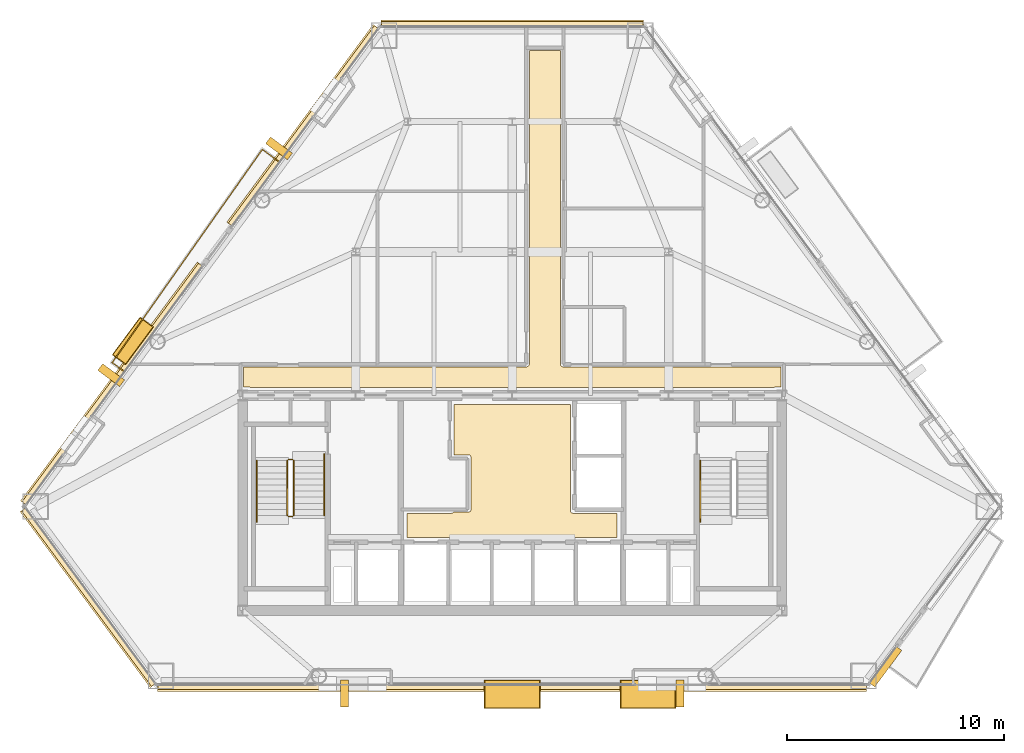
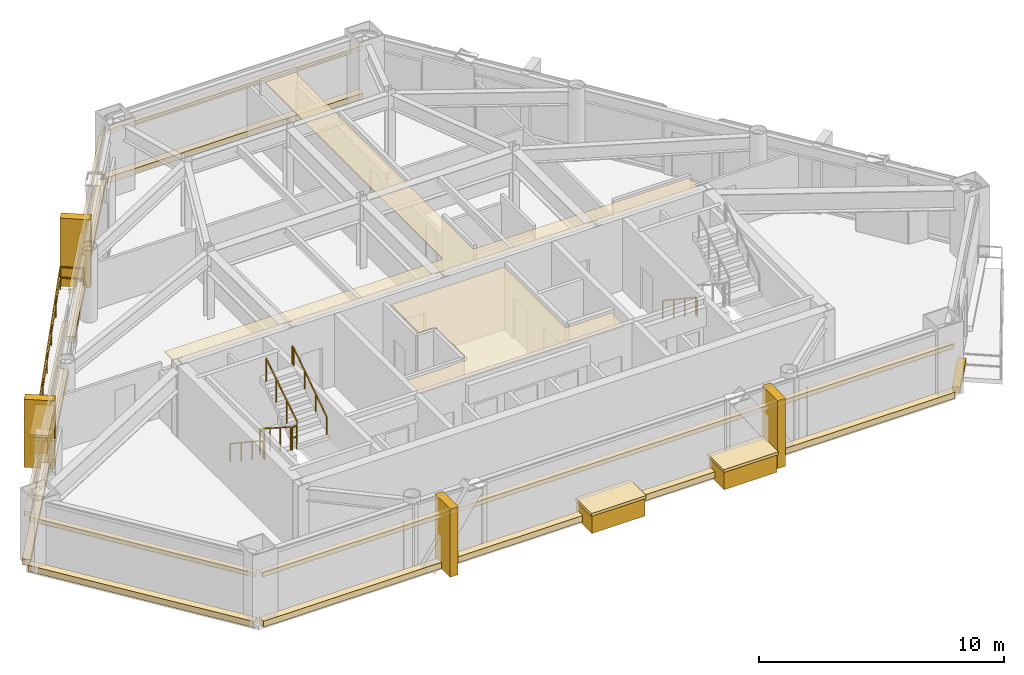
# One storey, part 10 of 11: 23 coverings, 8 railings.
"""IFC4 building model written with IfcOpenShell, lengths in metres."""

from ifc_helpers import new_model, si_unit, direction, frame, origin, origin_2d, place, context, subcontext, project, spatial, polyline, rectangle, outline, extrude, material, layer, layer_set, type_object, element, save


model = new_model("IFC4")

# Units and contexts
model_context = context("Model", 3, precision=1e-05, world=origin(), true_north=direction((0.0, 1.0)))
body_context = subcontext(model_context, "Body", "Model", "MODEL_VIEW")
ifc_project = project(units=[si_unit("LENGTHUNIT", "METRE"), si_unit("AREAUNIT", "SQUARE_METRE"), si_unit("VOLUMEUNIT", "CUBIC_METRE"), si_unit("PLANEANGLEUNIT", "RADIAN"), si_unit("MASSUNIT", "GRAM", prefix="KILO")], contexts=[model_context])

# Site, building, storey
site_placement = place(None, origin())
site = spatial("IfcSite", under=ifc_project, at=site_placement, CompositionType="ELEMENT")
building_placement = place(site_placement, origin())
building = spatial("IfcBuilding", under=site, at=building_placement, Name="Talgorran Terracotta Tower", CompositionType="ELEMENT")
storey_placement = place(building_placement, frame((0.0, 0.0, 103.199951171875)))
storey = spatial("IfcBuildingStorey", under=building, at=storey_placement, Name="L26", CompositionType="ELEMENT", Elevation=103.199951171875)

# Coverings
ifc_material_1 = material(Name="Kiln-Fired Terracotta Ochre Ceramic", Category="masonry")
ifc_layer_1 = layer(ifc_material_1, 0.179931640625, Name="COV_BAGUETTE_TERRACOTTA_SCREEN")
ifc_layer_set_1 = layer_set([ifc_layer_1], Name="Kiln-Fired Terracotta Ochre Ceramic")
covering_type_1 = type_object("IfcCoveringType", Name="COV_BAGUETTE_TERRACOTTA_SCREEN", PredefinedType="CLADDING", material=ifc_layer_set_1)
covering_1_placement = place(storey_placement, frame((-19.480712890625, -13.47119140625, 2.41015625), z_axis=(0.0, 0.0, 1.0), x_axis=(0.594906963183, -0.803794566513, 0.0)))
element("IfcCovering", 1, at=covering_1_placement, inside=storey, type_object=covering_type_1, Name="L26 Terracotta Baguette Solar Screen Assembly F0", PredefinedType="CLADDING", context=body_context, shape_type="SweptSolid", body=[
    extrude(rectangle(XDim=10.052001953125, YDim=0.260009765625, at=origin_2d()), origin(), (0.0, 0.0, 1.0), 0.219970703125),
])
covering_2_placement = place(storey_placement, frame((0.0, -17.60791015625, 2.41015625), z_axis=(0.0, 0.0, 1.0), x_axis=(1.0, 0.0, 0.0)))
element("IfcCovering", 2, at=covering_2_placement, inside=storey, type_object=covering_type_1, Name="L26 Terracotta Baguette Solar Screen Assembly F1", PredefinedType="CLADDING", context=body_context, shape_type="SweptSolid", body=[
    extrude(rectangle(XDim=32.59716796875, YDim=0.260009765625, at=origin_2d()), origin(), (0.0, 0.0, 1.0), 0.219970703125),
])
covering_3_placement = place(storey_placement, frame((0.0, 12.8623046875, 2.41015625), z_axis=(0.0, 0.0, 1.0), x_axis=(-1.0, 0.0, 0.0)))
element("IfcCovering", 3, at=covering_3_placement, inside=storey, type_object=covering_type_1, Name="L26 Terracotta Baguette Solar Screen Assembly F4", PredefinedType="CLADDING", context=body_context, shape_type="SweptSolid", body=[
    extrude(rectangle(XDim=12.043212890625, YDim=0.260009765625, at=origin_2d()), origin(), (0.0, 0.0, 1.0), 0.219970703125),
])
covering_4_placement = place(storey_placement, frame((-9.59814453125, 8.1923828125, 2.41015625), z_axis=(0.0, 0.0, 1.0), x_axis=(-0.594906963183, -0.803794566513, 0.0)))
element("IfcCovering", 4, at=covering_4_placement, inside=storey, type_object=covering_type_1, Name="L26 Terracotta Baguette Solar Screen Assembly F60", PredefinedType="CLADDING", context=body_context, shape_type="SweptSolid", body=[
    extrude(rectangle(XDim=11.298583984375, YDim=0.260009765625, at=origin_2d()), origin(), (0.0, 0.0, 1.0), 0.219970703125),
])
covering_5_placement = place(storey_placement, frame((-18.386962890625, -3.682373046875, 2.41015625), z_axis=(0.0, 0.0, 1.0), x_axis=(-0.594906963183, -0.803794566513, 0.0)))
element("IfcCovering", 5, at=covering_5_placement, inside=storey, type_object=covering_type_1, Name="L26 Terracotta Baguette Solar Screen Assembly F61", PredefinedType="CLADDING", context=body_context, shape_type="SweptSolid", body=[
    extrude(rectangle(XDim=13.6484375, YDim=0.260009765625, at=origin_2d()), origin(), (0.0, 0.0, 1.0), 0.219970703125),
])
ifc_material_2 = material(Name="Mineral Fibre Acoustic Tile")
ifc_layer_2 = layer(ifc_material_2, 0.02490234375, Name="COV_CEIL_ACOUSTIC")
ifc_layer_set_2 = layer_set([ifc_layer_2], Name="Mineral Fibre Acoustic Tile")
covering_type_2 = type_object("IfcCoveringType", Name="COV_CEIL_ACOUSTIC", PredefinedType="CEILING", material=ifc_layer_set_2)
covering_6_placement = place(storey_placement, frame((0.0, 0.0, 3.260009765625)))
element("IfcCovering", 6, at=covering_6_placement, inside=storey, type_object=covering_type_2, Name="CEIL-L26-2", PredefinedType="CEILING", context=body_context, shape_type="SweptSolid", body=[
    extrude(outline(polyline([(-12.364990234375, -2.885009765625), (0.64990234375, -2.885009765625), (0.66162109375, -2.884521484375), (0.67333984375, -2.8828125), (0.6845703125, -2.8798828125), (0.69287109375, -2.87744140625), (0.7041015625, -2.87353515625), (0.714599609375, -2.868408203125), (0.724853515625, -2.8623046875), (0.734375, -2.85546875), (0.742919921875, -2.847412109375), (0.7509765625, -2.8388671875), (0.756591796875, -2.83203125), (0.763671875, -2.822509765625), (0.769775390625, -2.8125), (0.774658203125, -2.8017578125), (0.77880859375, -2.79052734375), (0.781494140625, -2.779296875), (0.783203125, -2.767578125), (0.783935546875, -2.755615234375), (0.784912109375, 11.6650390625), (2.215087890625, 11.6650390625), (2.215087890625, -2.75), (2.215576171875, -2.76171875), (2.21728515625, -2.773193359375), (2.22021484375, -2.78466796875), (2.22265625, -2.79296875), (2.2265625, -2.803955078125), (2.231689453125, -2.814697265625), (2.237548828125, -2.82470703125), (2.24462890625, -2.834228515625), (2.25244140625, -2.843017578125), (2.26123046875, -2.850830078125), (2.26806640625, -2.8564453125), (2.277587890625, -2.863525390625), (2.28759765625, -2.86962890625), (2.29833984375, -2.874755859375), (2.309326171875, -2.878662109375), (2.32080078125, -2.881591796875), (2.33251953125, -2.88330078125), (2.34423828125, -2.8837890625), (12.364990234375, -2.885009765625), (12.364990234375, -3.80908203125), (12.1201171875, -3.80908203125), (12.108154296875, -3.8095703125), (12.0966796875, -3.811279296875), (12.085205078125, -3.814208984375), (12.07421875, -3.818115234375), (12.0634765625, -3.8232421875), (12.05322265625, -3.8291015625), (12.0439453125, -3.836181640625), (12.03515625, -3.843994140625), (12.034423828125, -3.844970703125), (7.432861328125, -3.844970703125), (6.968017578125, -3.843017578125), (6.967529296875, -3.843017578125), (0.232666015625, -3.844970703125), (-0.23193359375, -3.843017578125), (-0.232421875, -3.843017578125), (-6.96728515625, -3.844970703125), (-7.431884765625, -3.843017578125), (-7.4326171875, -3.843017578125), (-12.034423828125, -3.844970703125), (-12.03515625, -3.843994140625), (-12.0439453125, -3.836181640625), (-12.05322265625, -3.8291015625), (-12.0634765625, -3.8232421875), (-12.07421875, -3.818115234375), (-12.085205078125, -3.814208984375), (-12.0966796875, -3.811279296875), (-12.108154296875, -3.8095703125), (-12.1201171875, -3.80908203125), (-12.364990234375, -3.80908203125), (-12.364990234375, -2.885009765625)])), origin(), (0.0, 0.0, 1.0), 0.02001953125),
])
ifc_material_3 = material(Name="Flush Moisture-Resistant Plaster")
ifc_layer_3 = layer(ifc_material_3, 0.01806640625, Name="COV_CEIL_PLASTER")
ifc_layer_set_3 = layer_set([ifc_layer_3], Name="Flush Moisture-Resistant Plaster")
covering_type_3 = type_object("IfcCoveringType", Name="COV_CEIL_PLASTER", PredefinedType="CEILING", material=ifc_layer_set_3)
covering_7_placement = place(storey_placement, frame((0.0, 0.0, 3.260009765625)))
element("IfcCovering", 7, at=covering_7_placement, inside=storey, type_object=covering_type_3, Name="CEIL-L26-1", PredefinedType="CEILING", context=body_context, shape_type="SweptSolid", body=[
    extrude(outline(polyline([(-2.70263671875, -9.570068359375), (-2.02001953125, -9.570068359375), (-2.00830078125, -9.5693359375), (-1.99658203125, -9.567626953125), (-1.985107421875, -9.564697265625), (-1.97412109375, -9.560791015625), (-1.96337890625, -9.555908203125), (-1.953369140625, -9.5498046875), (-1.94384765625, -9.542724609375), (-1.93505859375, -9.534912109375), (-1.92724609375, -9.526123046875), (-1.920166015625, -9.5166015625), (-1.914306640625, -9.506591796875), (-1.9091796875, -9.495849609375), (-1.9052734375, -9.48486328125), (-1.90234375, -9.473388671875), (-1.900634765625, -9.4619140625), (-1.89990234375, -9.449951171875), (-1.89990234375, -7.050048828125), (-1.900634765625, -7.0380859375), (-1.90234375, -7.026611328125), (-1.9052734375, -7.01513671875), (-1.9091796875, -7.004150390625), (-1.914306640625, -6.993408203125), (-1.920166015625, -6.9833984375), (-1.92724609375, -6.973876953125), (-1.93505859375, -6.965087890625), (-1.94384765625, -6.957275390625), (-1.953369140625, -6.9501953125), (-1.96337890625, -6.944091796875), (-1.97412109375, -6.939208984375), (-1.985107421875, -6.935302734375), (-1.99658203125, -6.932373046875), (-2.00830078125, -6.9306640625), (-2.02001953125, -6.929931640625), (-2.679931640625, -6.929931640625), (-2.679931640625, -4.6201171875), (2.679931640625, -4.6201171875), (2.679931640625, -9.5), (2.6806640625, -9.51171875), (2.682373046875, -9.5234375), (2.685302734375, -9.534912109375), (2.689208984375, -9.5458984375), (2.694091796875, -9.556640625), (2.7001953125, -9.566650390625), (2.707275390625, -9.576171875), (2.715087890625, -9.5849609375), (2.723876953125, -9.5927734375), (2.7333984375, -9.599853515625), (2.743408203125, -9.605712890625), (2.754150390625, -9.61083984375), (2.76513671875, -9.61474609375), (2.776611328125, -9.61767578125), (2.7880859375, -9.619384765625), (2.800048828125, -9.6201171875), (4.830078125, -9.6201171875), (4.830078125, -10.72998046875), (-4.830078125, -10.72998046875), (-4.830078125, -9.6201171875), (-2.800048828125, -9.6201171875), (-2.7880859375, -9.619384765625), (-2.776611328125, -9.61767578125), (-2.76513671875, -9.61474609375), (-2.754150390625, -9.61083984375), (-2.743408203125, -9.605712890625), (-2.7333984375, -9.599853515625), (-2.723876953125, -9.5927734375), (-2.715087890625, -9.5849609375), (-2.707275390625, -9.576171875), (-2.70263671875, -9.570068359375)])), origin(), (0.0, 0.0, 1.0), 0.02001953125),
])
ifc_material_4 = material(Name="Honed Limestone and Terracotta Planter", Category="masonry")
ifc_layer_4 = layer(ifc_material_4, 0.1201171875, Name="COV_PLANTER_BOX")
ifc_layer_set_4 = layer_set([ifc_layer_4], Name="Honed Limestone and Terracotta Planter")
covering_type_4 = type_object("IfcCoveringType", Name="COV_PLANTER_BOX", PredefinedType="CLADDING", material=ifc_layer_set_4)
for number, where, z_axis, x_axis, name in (
    (8, (0.0, -17.94775390625, -0.179931640625), (0.0, 0.0, 1.0), (1.0, 0.0, 0.0), "L26 Staggered South Facade Planter Box 1"),
    (9, (6.2431640625, -17.94775390625, -0.179931640625), (0.0, 0.0, 1.0), (1.0, 0.0, 0.0), "L26 Staggered South Facade Planter Box 2"),
):
    element("IfcCovering", number, at=place(storey_placement, frame(where, z_axis=z_axis, x_axis=x_axis)), inside=storey, type_object=covering_type_4, Name=name, PredefinedType="CLADDING", context=body_context, shape_type="SweptSolid", body=[
        extrude(rectangle(XDim=2.5, YDim=1.25, at=origin_2d()), origin(), (0.0, 0.0, 1.0), 0.919921875),
    ])
covering_8_placement = place(storey_placement, frame((-17.451904296875, -1.687744140625, -0.02001953125), z_axis=(0.0, 0.0, 1.0), x_axis=(-0.594906963183, -0.803794566513, 0.0)))
element("IfcCovering", 10, at=covering_8_placement, inside=storey, type_object=covering_type_4, Name="L26 Staggered Balcony Planter Box BAL-NW", PredefinedType="CLADDING", context=body_context, shape_type="SweptSolid", body=[
    extrude(rectangle(XDim=2.10009765625, YDim=0.719970703125, at=origin_2d()), origin(), (0.0, 0.0, 1.0), 0.860107421875),
])
ifc_material_5 = material(Name="Kiln-Fired Terracotta Planter Rim", Category="masonry")
ifc_layer_5 = layer(ifc_material_5, 0.10009765625, Name="COV_PLANTER_RIM")
ifc_layer_set_5 = layer_set([ifc_layer_5], Name="Kiln-Fired Terracotta Planter Rim")
covering_type_5 = type_object("IfcCoveringType", Name="COV_PLANTER_RIM", PredefinedType="CLADDING", material=ifc_layer_set_5)
for number, where, z_axis, x_axis, name in (
    (11, (0.0, -17.94775390625, 0.7099609375), (0.0, 0.0, 1.0), (1.0, 0.0, 0.0), "L26 South Planter Terracotta Rim 1"),
    (12, (6.2431640625, -17.94775390625, 0.7099609375), (0.0, 0.0, 1.0), (1.0, 0.0, 0.0), "L26 South Planter Terracotta Rim 2"),
):
    element("IfcCovering", number, at=place(storey_placement, frame(where, z_axis=z_axis, x_axis=x_axis)), inside=storey, type_object=covering_type_5, Name=name, PredefinedType="CLADDING", context=body_context, shape_type="SweptSolid", body=[
        extrude(rectangle(XDim=2.580078125, YDim=1.320068359375, at=origin_2d()), origin(), (0.0, 0.0, 1.0), 0.139892578125),
    ])
covering_9_placement = place(storey_placement, frame((-17.451904296875, -1.687744140625, 0.800048828125), z_axis=(0.0, 0.0, 1.0), x_axis=(-0.594906963183, -0.803794566513, 0.0)))
element("IfcCovering", 13, at=covering_9_placement, inside=storey, type_object=covering_type_5, Name="L26 Balcony Planter Terracotta Rim BAL-NW", PredefinedType="CLADDING", context=body_context, shape_type="SweptSolid", body=[
    extrude(rectangle(XDim=2.179931640625, YDim=0.780029296875, at=origin_2d()), origin(), (0.0, 0.0, 1.0), 0.1201171875),
])
ifc_material_6 = material(Name="Honed Limestone Cladding", Category="masonry")
ifc_layer_6 = layer(ifc_material_6, 0.094970703125, Name="COV_PORTAL_LIME")
ifc_layer_set_6 = layer_set([ifc_layer_6], Name="Honed Limestone Cladding")
covering_type_6 = type_object("IfcCoveringType", Name="COV_PORTAL_LIME", PredefinedType="CLADDING", material=ifc_layer_set_6)
covering_10_placement = place(storey_placement, frame((-19.5126953125, -13.4951171875, -0.0400390625), z_axis=(0.0, 0.0, 1.0), x_axis=(0.594906963183, -0.803794566513, 0.0)))
element("IfcCovering", 14, at=covering_10_placement, inside=storey, type_object=covering_type_6, Name="L26 Striped Postmodern Portal Cladding Band F0", PredefinedType="CLADDING", context=body_context, shape_type="SweptSolid", body=[
    extrude(rectangle(XDim=10.072021484375, YDim=0.340087890625, at=origin_2d()), origin(), (0.0, 0.0, 1.0), 0.300048828125),
])
covering_11_placement = place(storey_placement, frame((0.0, -17.647705078125, -0.0400390625), z_axis=(0.0, 0.0, 1.0), x_axis=(1.0, 0.0, 0.0)))
element("IfcCovering", 15, at=covering_11_placement, inside=storey, type_object=covering_type_6, Name="L26 Striped Postmodern Portal Cladding Band F1", PredefinedType="CLADDING", context=body_context, shape_type="SweptSolid", body=[
    extrude(rectangle(XDim=32.6171875, YDim=0.340087890625, at=origin_2d()), origin(), (0.0, 0.0, 1.0), 0.300048828125),
])
covering_12_placement = place(storey_placement, frame((17.162353515625, -16.670654296875, -0.0400390625), z_axis=(0.0, 0.0, 1.0), x_axis=(0.594906963183, 0.803794566513, 0.0)))
element("IfcCovering", 16, at=covering_12_placement, inside=storey, type_object=covering_type_6, Name="L26 Striped Postmodern Portal Cladding Band F30", PredefinedType="CLADDING", context=body_context, shape_type="SweptSolid", body=[
    extrude(rectangle(XDim=2.08984375, YDim=0.340087890625, at=origin_2d()), origin(), (0.0, 0.0, 1.0), 0.300048828125),
])
covering_13_placement = place(storey_placement, frame((0.0, 12.902099609375, -0.0400390625), z_axis=(0.0, 0.0, 1.0), x_axis=(-1.0, 0.0, 0.0)))
element("IfcCovering", 17, at=covering_13_placement, inside=storey, type_object=covering_type_6, Name="L26 Striped Postmodern Portal Cladding Band F4", PredefinedType="CLADDING", context=body_context, shape_type="SweptSolid", body=[
    extrude(rectangle(XDim=12.063232421875, YDim=0.340087890625, at=origin_2d()), origin(), (0.0, 0.0, 1.0), 0.300048828125),
])
covering_14_placement = place(storey_placement, frame((-9.63037109375, 8.21630859375, -0.0400390625), z_axis=(0.0, 0.0, 1.0), x_axis=(-0.594906963183, -0.803794566513, 0.0)))
element("IfcCovering", 18, at=covering_14_placement, inside=storey, type_object=covering_type_6, Name="L26 Striped Postmodern Portal Cladding Band F60", PredefinedType="CLADDING", context=body_context, shape_type="SweptSolid", body=[
    extrude(rectangle(XDim=11.318603515625, YDim=0.340087890625, at=origin_2d()), origin(), (0.0, 0.0, 1.0), 0.300048828125),
])
covering_15_placement = place(storey_placement, frame((-18.419189453125, -3.65869140625, -0.0400390625), z_axis=(0.0, 0.0, 1.0), x_axis=(-0.594906963183, -0.803794566513, 0.0)))
element("IfcCovering", 19, at=covering_15_placement, inside=storey, type_object=covering_type_6, Name="L26 Striped Postmodern Portal Cladding Band F61", PredefinedType="CLADDING", context=body_context, shape_type="SweptSolid", body=[
    extrude(rectangle(XDim=13.66845703125, YDim=0.340087890625, at=origin_2d()), origin(), (0.0, 0.0, 1.0), 0.300048828125),
])
for number, where, z_axis, x_axis, name in (
    (20, (7.7216796875, -17.90771484375, -0.0498046875), (0.0, 0.0, 1.0), (1.0, 0.0, 0.0), "L26 White Striped Portal Fin F1-2"),
    (21, (-18.45263671875, -3.2666015625, -0.0498046875), (0.0, 0.0, 1.0), (-0.594906963183, -0.803794566513, 0.0), "L26 White Striped Portal Fin F5-2"),
):
    element("IfcCovering", number, at=place(storey_placement, frame(where, z_axis=z_axis, x_axis=x_axis)), inside=storey, type_object=covering_type_6, Name=name, PredefinedType="CLADDING", context=body_context, shape_type="SweptSolid", body=[
        extrude(rectangle(XDim=0.3798828125, YDim=1.25, at=origin_2d()), origin(), (0.0, 0.0, 1.0), 3.39990234375),
    ])
ifc_material_7 = material(Name="Kiln-Fired Terracotta Cladding", Category="masonry")
ifc_layer_7 = layer(ifc_material_7, 0.090087890625, Name="COV_PORTAL_TERRA")
ifc_layer_set_7 = layer_set([ifc_layer_7], Name="Kiln-Fired Terracotta Cladding")
covering_type_7 = type_object("IfcCoveringType", Name="COV_PORTAL_TERRA", PredefinedType="CLADDING", material=ifc_layer_set_7)
for number, where, z_axis, x_axis, name in (
    (22, (-7.7216796875, -17.90771484375, -0.0498046875), (0.0, 0.0, 1.0), (1.0, 0.0, 0.0), "L26 Terracotta Striped Portal Fin F1-1"),
    (23, (-10.73095703125, 7.16650390625, -0.0498046875), (0.0, 0.0, 1.0), (-0.594906963183, -0.803794566513, 0.0), "L26 Terracotta Striped Portal Fin F5-1"),
):
    element("IfcCovering", number, at=place(storey_placement, frame(where, z_axis=z_axis, x_axis=x_axis)), inside=storey, type_object=covering_type_7, Name=name, PredefinedType="CLADDING", context=body_context, shape_type="SweptSolid", body=[
        extrude(rectangle(XDim=0.3798828125, YDim=1.25, at=origin_2d()), origin(), (0.0, 0.0, 1.0), 3.39990234375),
    ])

# Railings
ifc_material_8 = material(Name="Laminated Glass and Stainless Steel 316", Category="steel")
railing_type_1 = type_object("IfcRailingType", Name="RL_BALCONY_1150", PredefinedType="BALUSTRADE", material=ifc_material_8)
railing_1_placement = place(storey_placement, frame((-10.719482421875, 6.54296875, 0.0)))
element("IfcRailing", 24, at=railing_1_placement, inside=storey, type_object=railing_type_1, Name="RL-L26-BAL-BAL-NW", PredefinedType="BALUSTRADE", context=body_context, shape_type="SweptSolid", body=[
    extrude(rectangle(XDim=0.048095703125, YDim=0.048095703125, at=origin_2d()), frame((0.0, 0.0, 1.1259765625), z_axis=(-0.803798468353, 0.594901691267, 0.0), x_axis=(-0.594901691267, -0.803798468353, 0.0)), (0.0, 0.0, 1.0), 0.9677734375),
    extrude(rectangle(XDim=0.048095703125, YDim=0.048095703125, at=origin_2d()), frame((0.0, 0.0, 0.597900390625), z_axis=(-0.803798468353, 0.594901691267, 0.0), x_axis=(-0.594901691267, -0.803798468353, 0.0)), (0.0, 0.0, 1.0), 0.9677734375),
    extrude(rectangle(XDim=0.048095703125, YDim=0.048095703125, at=origin_2d()), frame((-0.77783203125, 0.57568359375, 1.1259765625), z_axis=(-0.575787818048, -0.817599161318, 0.0), x_axis=(0.817599161318, -0.575787818048, 0.0)), (0.0, 0.0, 1.0), 11.994384765625),
    extrude(rectangle(XDim=0.048095703125, YDim=0.048095703125, at=origin_2d()), frame((-0.77783203125, 0.57568359375, 0.597900390625), z_axis=(-0.575787818048, -0.817599161318, 0.0), x_axis=(0.817599161318, -0.575787818048, 0.0)), (0.0, 0.0, 1.0), 11.994384765625),
    extrude(rectangle(XDim=0.048095703125, YDim=0.048095703125, at=origin_2d()), frame((-7.68408203125, -9.23095703125, 1.1259765625), z_axis=(0.803790764476, -0.594912100182, 0.0), x_axis=(0.594912100182, 0.803790764476, 0.0)), (0.0, 0.0, 1.0), 0.684814453125),
    extrude(rectangle(XDim=0.048095703125, YDim=0.048095703125, at=origin_2d()), frame((-7.68408203125, -9.23095703125, 0.597900390625), z_axis=(0.803790764476, -0.594912100182, 0.0), x_axis=(0.594912100182, 0.803790764476, 0.0)), (0.0, 0.0, 1.0), 0.684814453125),
    extrude(rectangle(XDim=0.0419921875, YDim=0.0419921875, at=origin_2d()), origin(), (0.0, 0.0, 1.0), 1.101806640625),
    extrude(rectangle(XDim=0.0419921875, YDim=0.0419921875, at=origin_2d()), frame((-0.77783203125, 0.57568359375, 0.0)), (0.0, 0.0, 1.0), 1.101806640625),
    extrude(rectangle(XDim=0.0419921875, YDim=0.0419921875, at=origin_2d()), frame((-1.928955078125, -1.058837890625, 0.0)), (0.0, 0.0, 1.0), 1.101806640625),
    extrude(rectangle(XDim=0.0419921875, YDim=0.0419921875, at=origin_2d()), frame((-3.079833984375, -2.693115234375, 0.0)), (0.0, 0.0, 1.0), 1.101806640625),
    extrude(rectangle(XDim=0.0419921875, YDim=0.0419921875, at=origin_2d()), frame((-4.23095703125, -4.32763671875, 0.0)), (0.0, 0.0, 1.0), 1.101806640625),
    extrude(rectangle(XDim=0.0419921875, YDim=0.0419921875, at=origin_2d()), frame((-5.382080078125, -5.962158203125, 0.0)), (0.0, 0.0, 1.0), 1.101806640625),
    extrude(rectangle(XDim=0.0419921875, YDim=0.0419921875, at=origin_2d()), frame((-6.532958984375, -7.596435546875, 0.0)), (0.0, 0.0, 1.0), 1.101806640625),
    extrude(rectangle(XDim=0.0419921875, YDim=0.0419921875, at=origin_2d()), frame((-7.68408203125, -9.23095703125, 0.0)), (0.0, 0.0, 1.0), 1.101806640625),
    extrude(rectangle(XDim=0.0419921875, YDim=0.0419921875, at=origin_2d()), frame((-7.133544921875, -9.638427734375, 0.0)), (0.0, 0.0, 1.0), 1.101806640625),
])
ifc_material_9 = material(Name="Steel S355 (300PLUS)", Category="steel")
railing_type_2 = type_object("IfcRailingType", Name="RL_HANDRAIL_920", PredefinedType="HANDRAIL", material=ifc_material_9)
railing_2_placement = place(storey_placement, frame((-11.75, -7.199951171875, 0.179931640625)))
element("IfcRailing", 25, at=railing_2_placement, inside=storey, type_object=railing_type_2, Name="L26 ST-01 stair handrail 1", PredefinedType="HANDRAIL", context=body_context, shape_type="SweptSolid", body=[
    extrude(rectangle(XDim=0.048095703125, YDim=0.048095703125, at=origin_2d()), frame((0.0, 0.0, 0.89599609375), z_axis=(0.0, -0.832038719335, 0.554717558338), x_axis=(1.0, 0.0, 0.0)), (0.0, 0.0, 1.0), 3.244873046875),
    extrude(rectangle(XDim=0.048095703125, YDim=0.048095703125, at=origin_2d()), frame((0.0, -2.699951171875, 2.69580078125), z_axis=(0.0, -1.0, 0.0), x_axis=(1.0, 0.0, 0.0)), (0.0, 0.0, 1.0), 0.1201171875),
    extrude(rectangle(XDim=0.0419921875, YDim=0.0419921875, at=origin_2d()), origin(), (0.0, 0.0, 1.0), 0.871826171875),
    extrude(rectangle(XDim=0.0419921875, YDim=0.0419921875, at=origin_2d()), frame((0.0, -0.89990234375, 0.60009765625)), (0.0, 0.0, 1.0), 0.871826171875),
    extrude(rectangle(XDim=0.0419921875, YDim=0.0419921875, at=origin_2d()), frame((0.0, -1.800048828125, 1.199951171875)), (0.0, 0.0, 1.0), 0.871826171875),
    extrude(rectangle(XDim=0.0419921875, YDim=0.0419921875, at=origin_2d()), frame((0.0, -2.699951171875, 1.800048828125)), (0.0, 0.0, 1.0), 0.871826171875),
    extrude(rectangle(XDim=0.0419921875, YDim=0.0419921875, at=origin_2d()), frame((0.0, -2.820068359375, 1.800048828125)), (0.0, 0.0, 1.0), 0.871826171875),
])
railing_3_placement = place(storey_placement, frame((-8.64990234375, -9.719970703125, 1.97998046875)))
element("IfcRailing", 26, at=railing_3_placement, inside=storey, type_object=railing_type_2, Name="L26 ST-01 stair handrail 2", PredefinedType="HANDRAIL", context=body_context, shape_type="SweptSolid", body=[
    extrude(rectangle(XDim=0.048095703125, YDim=0.048095703125, at=origin_2d()), frame((0.0, 0.0, 0.89599609375), z_axis=(0.0, 0.832038719335, 0.554717558338), x_axis=(-1.0, 0.0, 0.0)), (0.0, 0.0, 1.0), 3.244873046875),
    extrude(rectangle(XDim=0.048095703125, YDim=0.048095703125, at=origin_2d()), frame((0.0, 2.699951171875, 2.69580078125), z_axis=(0.0, 1.0, 0.0), x_axis=(-1.0, 0.0, 0.0)), (0.0, 0.0, 1.0), 0.1201171875),
    extrude(rectangle(XDim=0.0419921875, YDim=0.0419921875, at=origin_2d()), origin(), (0.0, 0.0, 1.0), 0.871826171875),
    extrude(rectangle(XDim=0.0419921875, YDim=0.0419921875, at=origin_2d()), frame((0.0, 0.89990234375, 0.60009765625)), (0.0, 0.0, 1.0), 0.871826171875),
    extrude(rectangle(XDim=0.0419921875, YDim=0.0419921875, at=origin_2d()), frame((0.0, 1.800048828125, 1.199951171875)), (0.0, 0.0, 1.0), 0.871826171875),
    extrude(rectangle(XDim=0.0419921875, YDim=0.0419921875, at=origin_2d()), frame((0.0, 2.699951171875, 1.800048828125)), (0.0, 0.0, 1.0), 0.871826171875),
    extrude(rectangle(XDim=0.0419921875, YDim=0.0419921875, at=origin_2d()), frame((0.0, 2.820068359375, 1.800048828125)), (0.0, 0.0, 1.0), 0.871826171875),
])
railing_4_placement = place(storey_placement, frame((8.64990234375, -7.199951171875, 0.179931640625)))
element("IfcRailing", 27, at=railing_4_placement, inside=storey, type_object=railing_type_2, Name="L26 ST-02 stair handrail 1", PredefinedType="HANDRAIL", context=body_context, shape_type="SweptSolid", body=[
    extrude(rectangle(XDim=0.048095703125, YDim=0.048095703125, at=origin_2d()), frame((0.0, 0.0, 0.89599609375), z_axis=(0.0, -0.832038719335, 0.554717558338), x_axis=(1.0, 0.0, 0.0)), (0.0, 0.0, 1.0), 3.244873046875),
    extrude(rectangle(XDim=0.048095703125, YDim=0.048095703125, at=origin_2d()), frame((0.0, -2.699951171875, 2.69580078125), z_axis=(0.0, -1.0, 0.0), x_axis=(1.0, 0.0, 0.0)), (0.0, 0.0, 1.0), 0.1201171875),
    extrude(rectangle(XDim=0.0419921875, YDim=0.0419921875, at=origin_2d()), origin(), (0.0, 0.0, 1.0), 0.871826171875),
    extrude(rectangle(XDim=0.0419921875, YDim=0.0419921875, at=origin_2d()), frame((0.0, -0.89990234375, 0.60009765625)), (0.0, 0.0, 1.0), 0.871826171875),
    extrude(rectangle(XDim=0.0419921875, YDim=0.0419921875, at=origin_2d()), frame((0.0, -1.800048828125, 1.199951171875)), (0.0, 0.0, 1.0), 0.871826171875),
    extrude(rectangle(XDim=0.0419921875, YDim=0.0419921875, at=origin_2d()), frame((0.0, -2.699951171875, 1.800048828125)), (0.0, 0.0, 1.0), 0.871826171875),
    extrude(rectangle(XDim=0.0419921875, YDim=0.0419921875, at=origin_2d()), frame((0.0, -2.820068359375, 1.800048828125)), (0.0, 0.0, 1.0), 0.871826171875),
])
railing_type_3 = type_object("IfcRailingType", Name="RL_STAIR_GUARD", PredefinedType="GUARDRAIL", material=ifc_material_9)
railing_5_placement = place(storey_placement, frame((-10.35009765625, -7.199951171875, 0.179931640625)))
element("IfcRailing", 28, at=railing_5_placement, inside=storey, type_object=railing_type_3, Name="L26 ST-01 stair guard 1", PredefinedType="GUARDRAIL", context=body_context, shape_type="SweptSolid", body=[
    extrude(rectangle(XDim=0.048095703125, YDim=0.048095703125, at=origin_2d()), frame((0.0, 0.0, 1.15576171875), z_axis=(0.0, -0.841162588446, 0.540782303519), x_axis=(1.0, 0.0, 0.0)), (0.0, 0.0, 1.0), 2.995849609375),
    extrude(rectangle(XDim=0.0419921875, YDim=0.0419921875, at=origin_2d()), origin(), (0.0, 0.0, 1.0), 1.1318359375),
    extrude(rectangle(XDim=0.0419921875, YDim=0.0419921875, at=origin_2d()), frame((0.0, -0.840087890625, 0.5400390625)), (0.0, 0.0, 1.0), 1.1318359375),
    extrude(rectangle(XDim=0.0419921875, YDim=0.0419921875, at=origin_2d()), frame((0.0, -1.679931640625, 1.080078125)), (0.0, 0.0, 1.0), 1.1318359375),
    extrude(rectangle(XDim=0.0419921875, YDim=0.0419921875, at=origin_2d()), frame((0.0, -2.52001953125, 1.6201171875)), (0.0, 0.0, 1.0), 1.1318359375),
])
railing_6_placement = place(storey_placement, frame((-10.300048828125, -9.77001953125, 1.800048828125)))
element("IfcRailing", 29, at=railing_6_placement, inside=storey, type_object=railing_type_3, Name="L26 ST-01 stair guard 2", PredefinedType="GUARDRAIL", context=body_context, shape_type="SweptSolid", body=[
    extrude(rectangle(XDim=0.048095703125, YDim=0.048095703125, at=origin_2d()), frame((0.0, 0.0, 1.15576171875), z_axis=(1.0, 0.0, 0.0), x_axis=(0.0, 1.0, 0.0)), (0.0, 0.0, 1.0), 0.199951171875),
    extrude(rectangle(XDim=0.048095703125, YDim=0.048095703125, at=origin_2d()), frame((0.0, 0.0, 0.613525390625), z_axis=(1.0, 0.0, 0.0), x_axis=(0.0, 1.0, 0.0)), (0.0, 0.0, 1.0), 0.199951171875),
    extrude(rectangle(XDim=0.0419921875, YDim=0.0419921875, at=origin_2d()), origin(), (0.0, 0.0, 1.0), 1.1318359375),
    extrude(rectangle(XDim=0.0419921875, YDim=0.0419921875, at=origin_2d()), frame((0.199951171875, 0.0, 0.0)), (0.0, 0.0, 1.0), 1.1318359375),
])
railing_7_placement = place(storey_placement, frame((-10.050048828125, -9.719970703125, 1.97998046875)))
element("IfcRailing", 30, at=railing_7_placement, inside=storey, type_object=railing_type_3, Name="L26 ST-01 stair guard 3", PredefinedType="GUARDRAIL", context=body_context, shape_type="SweptSolid", body=[
    extrude(rectangle(XDim=0.048095703125, YDim=0.048095703125, at=origin_2d()), frame((0.0, 0.0, 1.15576171875), z_axis=(0.0, 0.841162588446, 0.540782303519), x_axis=(-1.0, 0.0, 0.0)), (0.0, 0.0, 1.0), 2.995849609375),
    extrude(rectangle(XDim=0.0419921875, YDim=0.0419921875, at=origin_2d()), origin(), (0.0, 0.0, 1.0), 1.1318359375),
    extrude(rectangle(XDim=0.0419921875, YDim=0.0419921875, at=origin_2d()), frame((0.0, 0.840087890625, 0.5400390625)), (0.0, 0.0, 1.0), 1.1318359375),
    extrude(rectangle(XDim=0.0419921875, YDim=0.0419921875, at=origin_2d()), frame((0.0, 1.679931640625, 1.080078125)), (0.0, 0.0, 1.0), 1.1318359375),
    extrude(rectangle(XDim=0.0419921875, YDim=0.0419921875, at=origin_2d()), frame((0.0, 2.52001953125, 1.6201171875)), (0.0, 0.0, 1.0), 1.1318359375),
])
railing_8_placement = place(storey_placement, frame((-10.300048828125, -7.14990234375, 0.0)))
element("IfcRailing", 31, at=railing_8_placement, inside=storey, type_object=railing_type_3, Name="L26 ST-01 stair guard 4", PredefinedType="GUARDRAIL", context=body_context, shape_type="SweptSolid", body=[
    extrude(rectangle(XDim=0.048095703125, YDim=0.048095703125, at=origin_2d()), frame((0.0, 0.0, 1.15576171875), z_axis=(1.0, 0.0, 0.0), x_axis=(0.0, 1.0, 0.0)), (0.0, 0.0, 1.0), 0.199951171875),
    extrude(rectangle(XDim=0.048095703125, YDim=0.048095703125, at=origin_2d()), frame((0.0, 0.0, 0.613525390625), z_axis=(1.0, 0.0, 0.0), x_axis=(0.0, 1.0, 0.0)), (0.0, 0.0, 1.0), 0.199951171875),
    extrude(rectangle(XDim=0.0419921875, YDim=0.0419921875, at=origin_2d()), origin(), (0.0, 0.0, 1.0), 1.1318359375),
    extrude(rectangle(XDim=0.0419921875, YDim=0.0419921875, at=origin_2d()), frame((0.199951171875, 0.0, 0.0)), (0.0, 0.0, 1.0), 1.1318359375),
])

save(model, "model.ifc")
